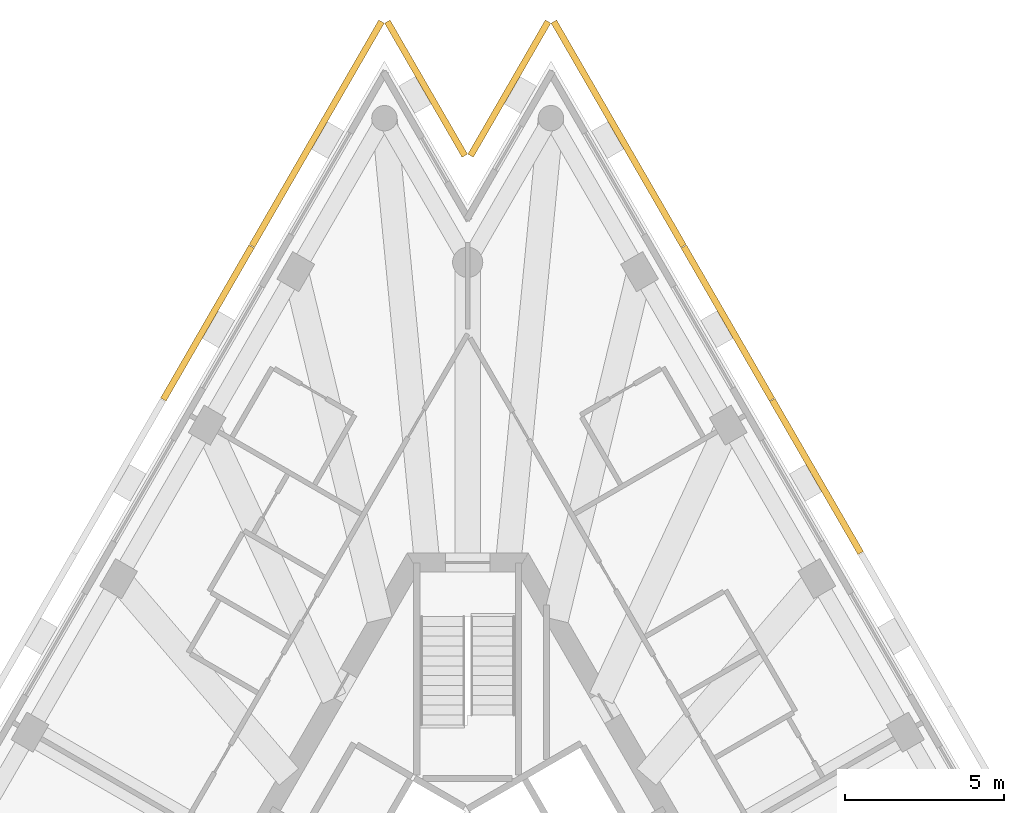
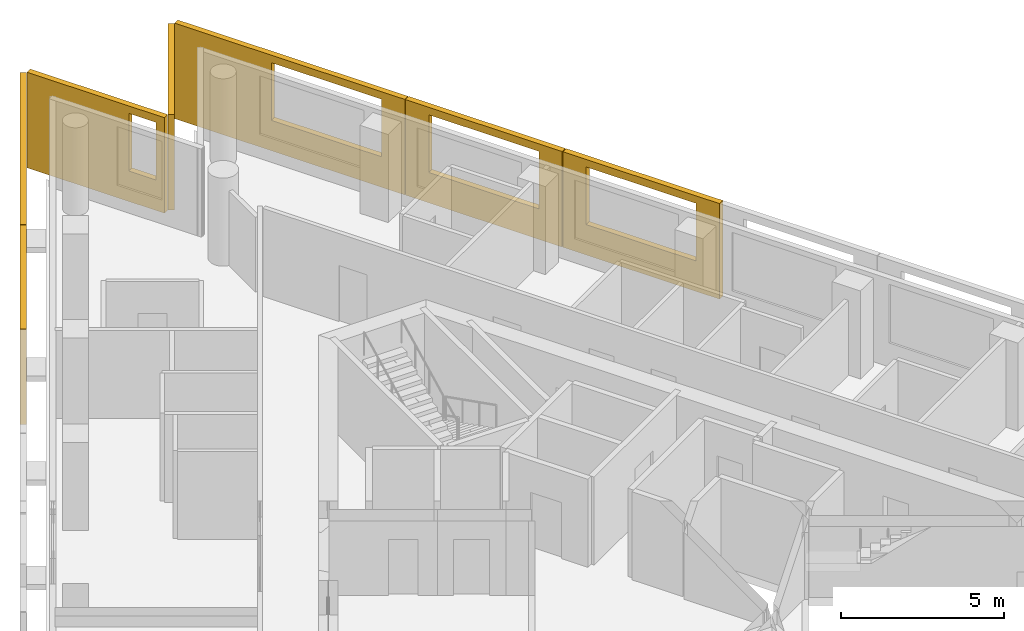
# One storey, part 10 of 10: 7 shading devices.
"""IFC4 building model written with IfcOpenShell, lengths in metres."""

from ifc_helpers import new_model, si_unit, direction, frame, origin, place, context, subcontext, project, spatial, polyline, outline, extrude, material, layer, layer_set, type_object, element, save


model = new_model("IFC4")

# Units and contexts
model_context = context("Model", 3, precision=1e-05, world=origin(), true_north=direction((0.0, 1.0)))
body_context = subcontext(model_context, "Body", "Model", "MODEL_VIEW")
ifc_project = project(units=[si_unit("LENGTHUNIT", "METRE"), si_unit("AREAUNIT", "SQUARE_METRE"), si_unit("VOLUMEUNIT", "CUBIC_METRE"), si_unit("PLANEANGLEUNIT", "RADIAN"), si_unit("MASSUNIT", "GRAM", prefix="KILO")], contexts=[model_context])

# Site, building, storey
site_placement = place(None, origin())
site = spatial("IfcSite", under=ifc_project, at=site_placement, CompositionType="ELEMENT")
building_placement = place(site_placement, origin())
building = spatial("IfcBuilding", under=site, at=building_placement, Name="Triada Interchange Tower", CompositionType="ELEMENT")
storey_placement = place(building_placement, frame((0.0, 0.0, 268.300048828125)))
storey = spatial("IfcBuildingStorey", under=building, at=storey_placement, Name="L62", CompositionType="ELEMENT", Elevation=268.300048828125)

# Shading devices
ifc_material = material(Name="Concrete C50/60 precast", Category="concrete")
ifc_layer_1 = layer(ifc_material, 0.02001953125, Name="Exposed aggregate face")
ifc_layer_2 = layer(ifc_material, 0.179931640625, Name="Precast concrete screen")
ifc_layer_set = layer_set([ifc_layer_1, ifc_layer_2], Name="Outer skin screen panel 3580")
shading_device_type = type_object("IfcShadingDeviceType", Name="Outer skin screen panel 3580", PredefinedType="SHUTTER", material=ifc_layer_set)
shading_device_1_placement = place(storey_placement, frame((-2.626953125, 30.283935546875, -0.2900390625), z_axis=(0.0, 0.0, 1.0), x_axis=(-0.500052253887, -0.865995232887, 0.0)))
element("IfcShadingDevice", 1, at=shading_device_1_placement, inside=storey, type_object=shading_device_type, Name="Outer skin screen panel L62 01", PredefinedType="SHUTTER", context=body_context, shape_type="SweptSolid", body=[
    extrude(outline(polyline([(0.0, 0.0), (8.159423828125, 0.0), (8.159423828125, 3.580078125), (0.0, 3.580078125), (0.0, 0.0)]), holes=[polyline([(3.4287109375, 1.139892578125), (3.4287109375, 3.300048828125), (7.32861328125, 3.300048828125), (7.32861328125, 1.139892578125), (3.4287109375, 1.139892578125)])]), frame((0.0, 0.0, 0.0), z_axis=(0.0, -1.0, 0.0), x_axis=(1.0, 0.0, 0.0)), (0.0, 0.0, 1.0), 0.199951171875),
])
shading_device_2_placement = place(storey_placement, frame((-6.717041015625, 23.200927734375, -0.2900390625), z_axis=(0.0, 0.0, 1.0), x_axis=(-0.499864322938, -0.866103722803, 0.0)))
element("IfcShadingDevice", 2, at=shading_device_2_placement, inside=storey, type_object=shading_device_type, Name="Outer skin screen panel L62 02", PredefinedType="SHUTTER", context=body_context, shape_type="SweptSolid", body=[
    extrude(outline(polyline([(0.0, 0.0), (5.5615234375, 0.0), (5.5615234375, 3.580078125), (0.0, 3.580078125), (0.0, 0.0)]), holes=[polyline([(0.830078125, 1.139892578125), (0.830078125, 3.300048828125), (4.730224609375, 3.300048828125), (4.730224609375, 1.139892578125), (0.830078125, 1.139892578125)])]), frame((0.0, 0.0, 0.0), z_axis=(0.0, -1.0, 0.0), x_axis=(1.0, 0.0, 0.0)), (0.0, 0.0, 1.0), 0.199951171875),
])
shading_device_3_placement = place(storey_placement, frame((12.2880859375, 13.551025390625, -0.2900390625), z_axis=(0.0, 0.0, 1.0), x_axis=(-0.500072058625, 0.86598379672, 0.0)))
element("IfcShadingDevice", 3, at=shading_device_3_placement, inside=storey, type_object=shading_device_type, Name="Outer skin screen panel L62 26", PredefinedType="SHUTTER", context=body_context, shape_type="SweptSolid", body=[
    extrude(outline(polyline([(0.0, 0.0), (5.561279296875, 0.0), (5.561279296875, 3.580078125), (0.0, 3.580078125), (0.0, 0.0)]), holes=[polyline([(0.83056640625, 1.139892578125), (0.83056640625, 3.300048828125), (4.73046875, 3.300048828125), (4.73046875, 1.139892578125), (0.83056640625, 1.139892578125)])]), frame((0.0, 0.0, 0.0), z_axis=(0.0, -1.0, 0.0), x_axis=(1.0, 0.0, 0.0)), (0.0, 0.0, 1.0), 0.199951171875),
])
shading_device_4_placement = place(storey_placement, frame((9.4970703125, 18.384033203125, -0.2900390625), z_axis=(0.0, 0.0, 1.0), x_axis=(-0.499864322938, 0.866103722803, 0.0)))
element("IfcShadingDevice", 4, at=shading_device_4_placement, inside=storey, type_object=shading_device_type, Name="Outer skin screen panel L62 27", PredefinedType="SHUTTER", context=body_context, shape_type="SweptSolid", body=[
    extrude(outline(polyline([(0.0, 0.0), (5.5615234375, 0.0), (5.5615234375, 3.580078125), (0.0, 3.580078125), (0.0, 0.0)]), holes=[polyline([(0.8310546875, 1.139892578125), (0.8310546875, 3.300048828125), (4.731201171875, 3.300048828125), (4.731201171875, 1.139892578125), (0.8310546875, 1.139892578125)])]), frame((0.0, 0.0, 0.0), z_axis=(0.0, -1.0, 0.0), x_axis=(1.0, 0.0, 0.0)), (0.0, 0.0, 1.0), 0.199951171875),
])
shading_device_5_placement = place(storey_placement, frame((6.70703125, 23.218017578125, -0.2900390625), z_axis=(0.0, 0.0, 1.0), x_axis=(-0.500052253887, 0.865995232887, 0.0)))
element("IfcShadingDevice", 5, at=shading_device_5_placement, inside=storey, type_object=shading_device_type, Name="Outer skin screen panel L62 28", PredefinedType="SHUTTER", context=body_context, shape_type="SweptSolid", body=[
    extrude(outline(polyline([(0.0, 0.0), (8.159423828125, 0.0), (8.159423828125, 3.580078125), (0.0, 3.580078125), (0.0, 0.0)]), holes=[polyline([(0.830810546875, 1.139892578125), (0.830810546875, 3.300048828125), (4.730712890625, 3.300048828125), (4.730712890625, 1.139892578125), (0.830810546875, 1.139892578125)])]), frame((0.0, 0.0, 0.0), z_axis=(0.0, -1.0, 0.0), x_axis=(1.0, 0.0, 0.0)), (0.0, 0.0, 1.0), 0.199951171875),
])
shading_device_6_placement = place(storey_placement, frame((2.616943359375, 30.283935546875, -0.2900390625), z_axis=(0.0, 0.0, 1.0), x_axis=(-0.500220869364, -0.865897847239, 0.0)))
element("IfcShadingDevice", 6, at=shading_device_6_placement, inside=storey, type_object=shading_device_type, Name="Outer skin screen panel L62 29", PredefinedType="SHUTTER", context=body_context, shape_type="SweptSolid", body=[
    extrude(outline(polyline([(0.0, 0.0), (4.875732421875, 0.0), (4.875732421875, 3.580078125), (0.0, 3.580078125), (0.0, 0.0)]), holes=[polyline([(3.175537109375, 1.139892578125), (3.175537109375, 3.300048828125), (4.576416015625, 3.300048828125), (4.576416015625, 1.139892578125), (3.175537109375, 1.139892578125)])]), frame((0.0, 0.0, 0.0), z_axis=(0.0, -1.0, 0.0), x_axis=(1.0, 0.0, 0.0)), (0.0, 0.0, 1.0), 0.199951171875),
])
shading_device_7_placement = place(storey_placement, frame((-0.177978515625, 26.06201171875, -0.2900390625), z_axis=(0.0, 0.0, 1.0), x_axis=(-0.500220869364, 0.865897847239, 0.0)))
element("IfcShadingDevice", 7, at=shading_device_7_placement, inside=storey, type_object=shading_device_type, Name="Outer skin screen panel L62 30", PredefinedType="SHUTTER", context=body_context, shape_type="SweptSolid", body=[
    extrude(outline(polyline([(0.0, 0.0), (4.875732421875, 0.0), (4.875732421875, 3.580078125), (0.0, 3.580078125), (0.0, 0.0)]), holes=[polyline([(0.300048828125, 1.139892578125), (0.300048828125, 3.300048828125), (1.258056640625, 3.300048828125), (1.258056640625, 1.139892578125), (0.300048828125, 1.139892578125)])]), frame((0.0, 0.0, 0.0), z_axis=(0.0, -1.0, 0.0), x_axis=(1.0, 0.0, 0.0)), (0.0, 0.0, 1.0), 0.199951171875),
])

save(model, "model.ifc")
